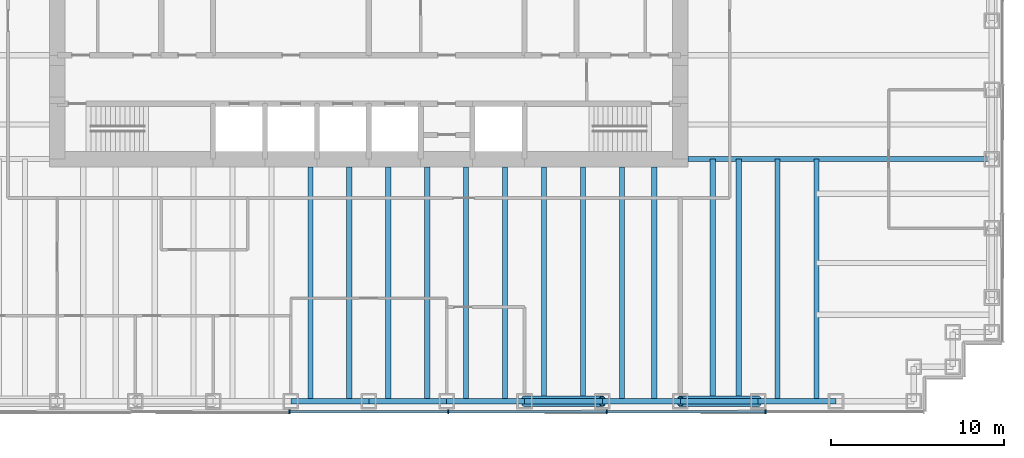
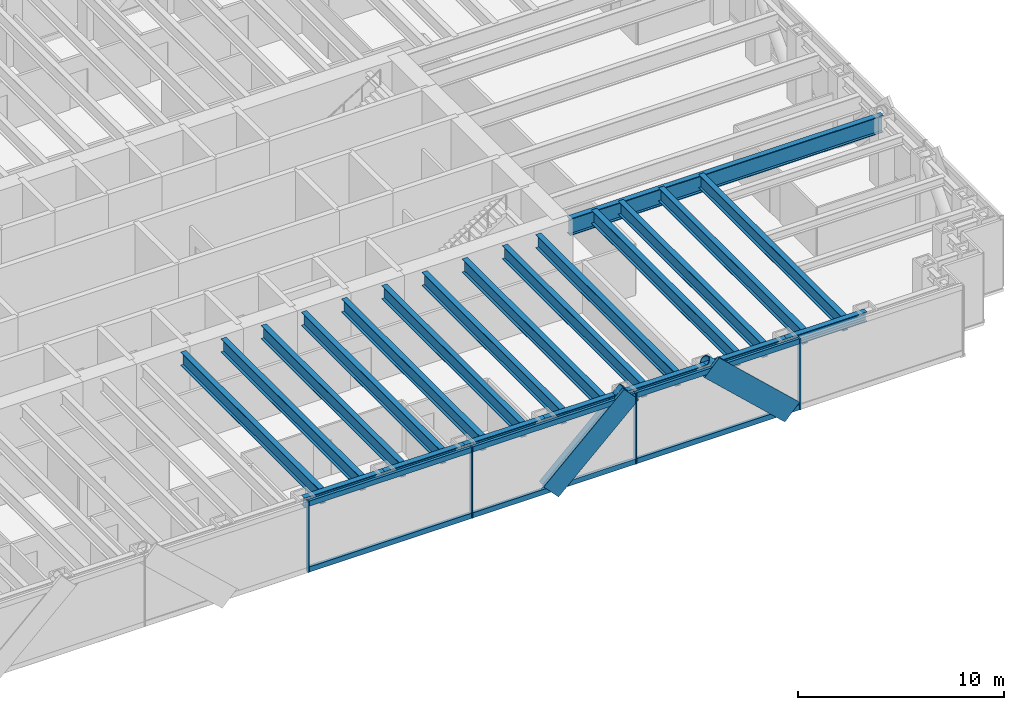
# One storey, part 4 of 15: 22 beams, 14 members, 1 element without a shape of its own.
"""IFC4 building model written with IfcOpenShell, lengths in metres."""

from ifc_helpers import new_model, si_unit, direction, frame, origin, origin_2d, place, context, subcontext, project, spatial, rectangle, hollow_circle, i_section, extrude, material, material_profile, profile_set, type_object, element, aggregate, save


model = new_model("IFC4")

# Units and contexts
model_context = context("Model", 3, precision=1e-05, world=origin(), true_north=direction((0.0, 1.0)))
body_context = subcontext(model_context, "Body", "Model", "MODEL_VIEW")
ifc_project = project(units=[si_unit("LENGTHUNIT", "METRE"), si_unit("AREAUNIT", "SQUARE_METRE"), si_unit("VOLUMEUNIT", "CUBIC_METRE"), si_unit("PLANEANGLEUNIT", "RADIAN"), si_unit("MASSUNIT", "GRAM", prefix="KILO")], contexts=[model_context])

# Site, building, storey
site_placement = place(None, origin())
site = spatial("IfcSite", under=ifc_project, at=site_placement, CompositionType="ELEMENT")
building_placement = place(site_placement, origin())
building = spatial("IfcBuilding", under=site, at=building_placement, Name="Rheinbord Bourse Tower", CompositionType="ELEMENT")
storey_placement = place(building_placement, frame((0.0, 0.0, 163.5)))
storey = spatial("IfcBuildingStorey", under=building, at=storey_placement, Name="L36", CompositionType="ELEMENT", Elevation=163.5)

# Curtain wall, members
ifc_material_1 = material(Name="Dark glass and black aluminium", Category="aluminium")
curtain_wall_type = type_object("IfcCurtainWallType", Name="CW2 DARK GLASS CURTAIN WALL", PredefinedType="USERDEFINED", material=ifc_material_1)
curtain_wall_placement = place(storey_placement, origin())
curtain_wall = element("IfcCurtainWall", 1, at=curtain_wall_placement, inside=storey, type_object=curtain_wall_type, Name="Curtain wall CW2 S L36", ObjectType="UNITISED CURTAIN WALL", PredefinedType="USERDEFINED")
ifc_material_2 = material(Name="Black anodised aluminium", Category="aluminium")
ifc_material_profile_1 = material_profile(ifc_material_2, rectangle(XDim=0.159912109375, YDim=1.2099609375, at=origin_2d()), Name="CW2 DIAGONAL MULLION 1210x160")
ifc_profile_set_1 = profile_set([ifc_material_profile_1], Name="Black anodised aluminium")
member_type_1 = type_object("IfcMemberType", Name="CW2 BLACK DIAGONAL MULLION", PredefinedType="USERDEFINED", material=ifc_profile_set_1)
member_1_placement = place(storey_placement, frame((45.0, 1.39990234375, 0.0), z_axis=(0.73105922506, 0.0, 0.682314010889), x_axis=(0.0, 1.0, 0.0)))
member_1 = element("IfcMember", 2, at=member_1_placement, type_object=member_type_1, Name="CW2 diagonal mullion a", ObjectType="DIAGONAL MULLION", PredefinedType="USERDEFINED", context=body_context, shape_type="SweptSolid", body=[
    extrude(rectangle(XDim=0.159912109375, YDim=1.2099609375, at=origin_2d()), origin(), (0.0, 0.0, 1.0), 6.155517578125),
])
member_2_placement = place(storey_placement, frame((58.5, 1.39990234375, 0.0), z_axis=(-0.73105922506, 0.0, 0.682314010889), x_axis=(0.0, -1.0, 0.0)))
member_2 = element("IfcMember", 3, at=member_2_placement, type_object=member_type_1, Name="CW2 diagonal mullion c", ObjectType="DIAGONAL MULLION", PredefinedType="USERDEFINED", context=body_context, shape_type="SweptSolid", body=[
    extrude(rectangle(XDim=0.159912109375, YDim=1.2099609375, at=origin_2d()), origin(), (0.0, 0.0, 1.0), 6.155517578125),
])
ifc_material_3 = material(Name="Black anodised aluminium", Category="aluminium")
ifc_material_profile_2 = material_profile(ifc_material_3, rectangle(XDim=0.219970703125, YDim=0.070068359375, at=origin_2d()), Name="CW2 MULLION 70x220")
ifc_profile_set_2 = profile_set([ifc_material_profile_2], Name="Black anodised aluminium")
member_type_2 = type_object("IfcMemberType", Name="CW2 BLACK MULLION", PredefinedType="MULLION", material=ifc_profile_set_2)
member_3_placement = place(storey_placement, frame((31.414306640625, 1.39990234375, 0.0), z_axis=(0.0, 0.0, 1.0), x_axis=(0.0, 1.0, 0.0)))
member_3 = element("IfcMember", 4, at=member_3_placement, type_object=member_type_2, Name="CW2 mullion 4", PredefinedType="MULLION", context=body_context, shape_type="SweptSolid", body=[
    extrude(rectangle(XDim=0.219970703125, YDim=0.070068359375, at=origin_2d()), origin(), (0.0, 0.0, 1.0), 4.199951171875),
])
member_4_placement = place(storey_placement, frame((40.585693359375, 1.39990234375, 0.0), z_axis=(0.0, 0.0, 1.0), x_axis=(0.0, 1.0, 0.0)))
member_4 = element("IfcMember", 5, at=member_4_placement, type_object=member_type_2, Name="CW2 mullion 5", PredefinedType="MULLION", context=body_context, shape_type="SweptSolid", body=[
    extrude(rectangle(XDim=0.219970703125, YDim=0.070068359375, at=origin_2d()), origin(), (0.0, 0.0, 1.0), 4.199951171875),
])
member_5_placement = place(storey_placement, frame((49.757080078125, 1.39990234375, 0.0), z_axis=(0.0, 0.0, 1.0), x_axis=(0.0, 1.0, 0.0)))
member_5 = element("IfcMember", 6, at=member_5_placement, type_object=member_type_2, Name="CW2 mullion 6", PredefinedType="MULLION", context=body_context, shape_type="SweptSolid", body=[
    extrude(rectangle(XDim=0.219970703125, YDim=0.070068359375, at=origin_2d()), origin(), (0.0, 0.0, 1.0), 4.199951171875),
])
member_6_placement = place(storey_placement, frame((58.928466796875, 1.39990234375, 0.0), z_axis=(0.0, 0.0, 1.0), x_axis=(0.0, 1.0, 0.0)))
member_6 = element("IfcMember", 7, at=member_6_placement, type_object=member_type_2, Name="CW2 mullion 7", PredefinedType="MULLION", context=body_context, shape_type="SweptSolid", body=[
    extrude(rectangle(XDim=0.219970703125, YDim=0.070068359375, at=origin_2d()), origin(), (0.0, 0.0, 1.0), 4.199951171875),
])
ifc_material_4 = material(Name="Black anodised aluminium", Category="aluminium")
ifc_material_profile_3 = material_profile(ifc_material_4, rectangle(XDim=0.159912109375, YDim=0.300048828125, at=origin_2d()), Name="CW2 TRANSOM 300x160")
ifc_profile_set_3 = profile_set([ifc_material_profile_3], Name="Black anodised aluminium")
member_type_3 = type_object("IfcMemberType", Name="CW2 BLACK TRANSOM", PredefinedType="USERDEFINED", material=ifc_profile_set_3)
member_7_placement = place(storey_placement, frame((31.44921875, 1.39990234375, 0.14990234375), z_axis=(1.0, 0.0, 0.0), x_axis=(0.0, 1.0, 0.0)))
member_7 = element("IfcMember", 8, at=member_7_placement, type_object=member_type_3, Name="CW2 transom 4.1", ObjectType="TRANSOM", PredefinedType="USERDEFINED", context=body_context, shape_type="SweptSolid", body=[
    extrude(rectangle(XDim=0.159912109375, YDim=0.300048828125, at=origin_2d()), origin(), (0.0, 0.0, 1.0), 9.1015625),
])
member_8_placement = place(storey_placement, frame((31.44921875, 1.39990234375, 4.050048828125), z_axis=(1.0, 0.0, 0.0), x_axis=(0.0, 1.0, 0.0)))
member_8 = element("IfcMember", 9, at=member_8_placement, type_object=member_type_3, Name="CW2 transom 4.2", ObjectType="TRANSOM", PredefinedType="USERDEFINED", context=body_context, shape_type="SweptSolid", body=[
    extrude(rectangle(XDim=0.159912109375, YDim=0.300048828125, at=origin_2d()), origin(), (0.0, 0.0, 1.0), 9.1015625),
])
member_9_placement = place(storey_placement, frame((40.62060546875, 1.39990234375, 0.14990234375), z_axis=(1.0, 0.0, 0.0), x_axis=(0.0, 1.0, 0.0)))
member_9 = element("IfcMember", 10, at=member_9_placement, type_object=member_type_3, Name="CW2 transom 5.1", ObjectType="TRANSOM", PredefinedType="USERDEFINED", context=body_context, shape_type="SweptSolid", body=[
    extrude(rectangle(XDim=0.159912109375, YDim=0.300048828125, at=origin_2d()), origin(), (0.0, 0.0, 1.0), 9.1015625),
])
member_10_placement = place(storey_placement, frame((40.62060546875, 1.39990234375, 4.050048828125), z_axis=(1.0, 0.0, 0.0), x_axis=(0.0, 1.0, 0.0)))
member_10 = element("IfcMember", 11, at=member_10_placement, type_object=member_type_3, Name="CW2 transom 5.2", ObjectType="TRANSOM", PredefinedType="USERDEFINED", context=body_context, shape_type="SweptSolid", body=[
    extrude(rectangle(XDim=0.159912109375, YDim=0.300048828125, at=origin_2d()), origin(), (0.0, 0.0, 1.0), 9.1015625),
])
member_11_placement = place(storey_placement, frame((49.792236328125, 1.39990234375, 0.14990234375), z_axis=(1.0, 0.0, 0.0), x_axis=(0.0, 1.0, 0.0)))
member_11 = element("IfcMember", 12, at=member_11_placement, type_object=member_type_3, Name="CW2 transom 6.1", ObjectType="TRANSOM", PredefinedType="USERDEFINED", context=body_context, shape_type="SweptSolid", body=[
    extrude(rectangle(XDim=0.159912109375, YDim=0.300048828125, at=origin_2d()), origin(), (0.0, 0.0, 1.0), 9.101318359375),
])
member_12_placement = place(storey_placement, frame((49.792236328125, 1.39990234375, 4.050048828125), z_axis=(1.0, 0.0, 0.0), x_axis=(0.0, 1.0, 0.0)))
member_12 = element("IfcMember", 13, at=member_12_placement, type_object=member_type_3, Name="CW2 transom 6.2", ObjectType="TRANSOM", PredefinedType="USERDEFINED", context=body_context, shape_type="SweptSolid", body=[
    extrude(rectangle(XDim=0.159912109375, YDim=0.300048828125, at=origin_2d()), origin(), (0.0, 0.0, 1.0), 9.101318359375),
])
aggregate(curtain_wall, [member_3, member_4, member_5, member_6, member_7, member_8, member_9, member_10, member_11, member_12, member_1, member_2])

# Beams
ifc_material_5 = material(Name="Steel S460", Category="steel")
ifc_material_profile_4 = material_profile(ifc_material_5, i_section(OverallWidth=0.300048828125, OverallDepth=0.800048828125, WebThickness=0.017578125, FlangeThickness=0.032958984375, at=origin_2d()), Name="HEB 800")
ifc_profile_set_4 = profile_set([ifc_material_profile_4], Name="Steel S460")
beam_type_1 = type_object("IfcBeamType", Name="FLOOR BEAM HEB 800", PredefinedType="BEAM", material=ifc_profile_set_4)
for number, where, z_axis, x_axis, name in (
    (14, (32.625, 2.0, 3.639892578125), (0.0, 1.0, 0.0), (-1.0, 0.0, 0.0), "Floor beam S-31.5a L37"),
    (15, (34.875, 2.0, 3.639892578125), (0.0, 1.0, 0.0), (-1.0, 0.0, 0.0), "Floor beam S-31.5b L37"),
    (16, (37.125, 2.0, 3.639892578125), (0.0, 1.0, 0.0), (-1.0, 0.0, 0.0), "Floor beam S-36a L37"),
    (17, (39.375, 2.0, 3.639892578125), (0.0, 1.0, 0.0), (-1.0, 0.0, 0.0), "Floor beam S-36b L37"),
    (18, (41.625, 2.0, 3.639892578125), (0.0, 1.0, 0.0), (-1.0, 0.0, 0.0), "Floor beam S-40.5a L37"),
    (19, (43.875, 2.0, 3.639892578125), (0.0, 1.0, 0.0), (-1.0, 0.0, 0.0), "Floor beam S-40.5b L37"),
    (20, (46.125, 2.0, 3.639892578125), (0.0, 1.0, 0.0), (-1.0, 0.0, 0.0), "Floor beam S-45a L37"),
    (21, (48.375, 2.0, 3.639892578125), (0.0, 1.0, 0.0), (-1.0, 0.0, 0.0), "Floor beam S-45b L37"),
    (22, (50.625, 2.0, 3.639892578125), (0.0, 1.0, 0.0), (-1.0, 0.0, 0.0), "Floor beam S-49.5a L37"),
    (23, (52.5, 2.0, 3.639892578125), (0.0, 1.0, 0.0), (-1.0, 0.0, 0.0), "Floor beam S-49.5b L37"),
):
    element("IfcBeam", number, at=place(storey_placement, frame(where, z_axis=z_axis, x_axis=x_axis)), inside=storey, type_object=beam_type_1, Name=name, PredefinedType="BEAM", context=body_context, shape_type="SweptSolid", body=[
        extrude(i_section(OverallWidth=0.300048828125, OverallDepth=0.800048828125, WebThickness=0.017578125, FlangeThickness=0.032958984375, at=origin_2d()), origin(), (0.0, 0.0, 1.0), 13.550048828125),
    ])
for number, where, z_axis, x_axis, name in (
    (24, (55.875, 2.0, 3.639892578125), (0.0, 1.0, 0.0), (-1.0, 0.0, 0.0), "Floor beam S-54a L37"),
    (25, (57.375, 2.0, 3.639892578125), (0.0, 1.0, 0.0), (-1.0, 0.0, 0.0), "Floor beam S-54b L37"),
    (26, (59.625, 2.0, 3.639892578125), (0.0, 1.0, 0.0), (-1.0, 0.0, 0.0), "Floor beam S-58.5a L37"),
    (27, (61.875, 2.0, 3.639892578125), (0.0, 1.0, 0.0), (-1.0, 0.0, 0.0), "Floor beam S-58.5b L37"),
):
    element("IfcBeam", number, at=place(storey_placement, frame(where, z_axis=z_axis, x_axis=x_axis)), inside=storey, type_object=beam_type_1, Name=name, PredefinedType="BEAM", context=body_context, shape_type="SweptSolid", body=[
        extrude(i_section(OverallWidth=0.300048828125, OverallDepth=0.800048828125, WebThickness=0.017578125, FlangeThickness=0.032958984375, at=origin_2d()), origin(), (0.0, 0.0, 1.0), 14.0),
    ])
ifc_material_6 = material(Name="Steel S460", Category="steel")
ifc_material_profile_5 = material_profile(ifc_material_6, i_section(OverallWidth=0.302001953125, OverallDepth=1.008056640625, WebThickness=0.02099609375, FlangeThickness=0.0400390625, at=origin_2d()), Name="HEM 1000")
ifc_profile_set_5 = profile_set([ifc_material_profile_5], Name="Steel S460")
beam_type_2 = type_object("IfcBeamType", Name="GIRDER HEM 1000", PredefinedType="BEAM", material=ifc_profile_set_5)
beam_placement = place(storey_placement, frame((54.449951171875, 16.0, 3.535888671875), z_axis=(1.0, 0.0, 0.0), x_axis=(0.0, 1.0, 0.0)))
element("IfcBeam", 28, at=beam_placement, inside=storey, type_object=beam_type_2, Name="Girder east 16 L37", PredefinedType="BEAM", context=body_context, shape_type="SweptSolid", body=[
    extrude(i_section(OverallWidth=0.302001953125, OverallDepth=1.008056640625, WebThickness=0.02099609375, FlangeThickness=0.0400390625, at=origin_2d()), origin(), (0.0, 0.0, 1.0), 17.550048828125),
])

# Members
ifc_material_7 = material(Name="Steel S460", Category="steel")
ifc_material_profile_6 = material_profile(ifc_material_7, hollow_circle(Radius=0.304931640625, WallThickness=0.0400390625, at=origin_2d()), Name="CHS 610x40")
ifc_profile_set_6 = profile_set([ifc_material_profile_6], Name="Steel S460")
member_type_4 = type_object("IfcMemberType", Name="MEGABRACE CHS 610x40", PredefinedType="BRACE", material=ifc_profile_set_6)
for number, where, z_axis, x_axis, name in (
    (29, (45.0, 2.0, 0.0), (0.73105922506, 0.0, 0.682314010889), (0.0, 1.0, 0.0), "Megabrace S face line a L36"),
    (30, (58.5, 2.0, 0.0), (-0.73105922506, 0.0, 0.682314010889), (0.0, -1.0, 0.0), "Megabrace S face line c L36"),
):
    element("IfcMember", number, at=place(storey_placement, frame(where, z_axis=z_axis, x_axis=x_axis)), inside=storey, type_object=member_type_4, Name=name, PredefinedType="BRACE", context=body_context, shape_type="SweptSolid", body=[
        extrude(hollow_circle(Radius=0.304931640625, WallThickness=0.0400390625, at=origin_2d()), origin(), (0.0, 0.0, 1.0), 6.155517578125),
    ])

# Beams
ifc_material_8 = material(Name="Steel S460", Category="steel")
ifc_material_profile_7 = material_profile(ifc_material_8, i_section(OverallWidth=0.305908203125, OverallDepth=0.572021484375, WebThickness=0.02099609375, FlangeThickness=0.0400390625, at=origin_2d()), Name="HEM 550")
ifc_profile_set_7 = profile_set([ifc_material_profile_7], Name="Steel S460")
beam_type_3 = type_object("IfcBeamType", Name="SPANDREL HEM 550", PredefinedType="SPANDREL", material=ifc_profile_set_7)
for number, where, z_axis, x_axis, name in (
    (31, (31.5, 2.0, 3.75390625), (1.0, 0.0, 0.0), (0.0, 1.0, 0.0), "Spandrel S-31.5-S-36 under L37"),
    (32, (36.0, 2.0, 3.75390625), (1.0, 0.0, 0.0), (0.0, 1.0, 0.0), "Spandrel S-36-S-40.5 under L37"),
    (33, (40.5, 2.0, 3.75390625), (1.0, 0.0, 0.0), (0.0, 1.0, 0.0), "Spandrel S-40.5-S-45 under L37"),
    (34, (45.0, 2.0, 3.75390625), (1.0, 0.0, 0.0), (0.0, 1.0, 0.0), "Spandrel S-45-S-49.5 under L37"),
    (35, (49.5, 2.0, 3.75390625), (1.0, 0.0, 0.0), (0.0, 1.0, 0.0), "Spandrel S-49.5-S-54 under L37"),
    (36, (54.0, 2.0, 3.75390625), (1.0, 0.0, 0.0), (0.0, 1.0, 0.0), "Spandrel S-54-S-58.5 under L37"),
    (37, (58.5, 2.0, 3.75390625), (1.0, 0.0, 0.0), (0.0, 1.0, 0.0), "Spandrel S-58.5-S-63 under L37"),
):
    element("IfcBeam", number, at=place(storey_placement, frame(where, z_axis=z_axis, x_axis=x_axis)), inside=storey, type_object=beam_type_3, Name=name, PredefinedType="SPANDREL", context=body_context, shape_type="SweptSolid", body=[
        extrude(i_section(OverallWidth=0.305908203125, OverallDepth=0.572021484375, WebThickness=0.02099609375, FlangeThickness=0.0400390625, at=origin_2d()), origin(), (0.0, 0.0, 1.0), 4.5),
    ])

save(model, "model.ifc")
